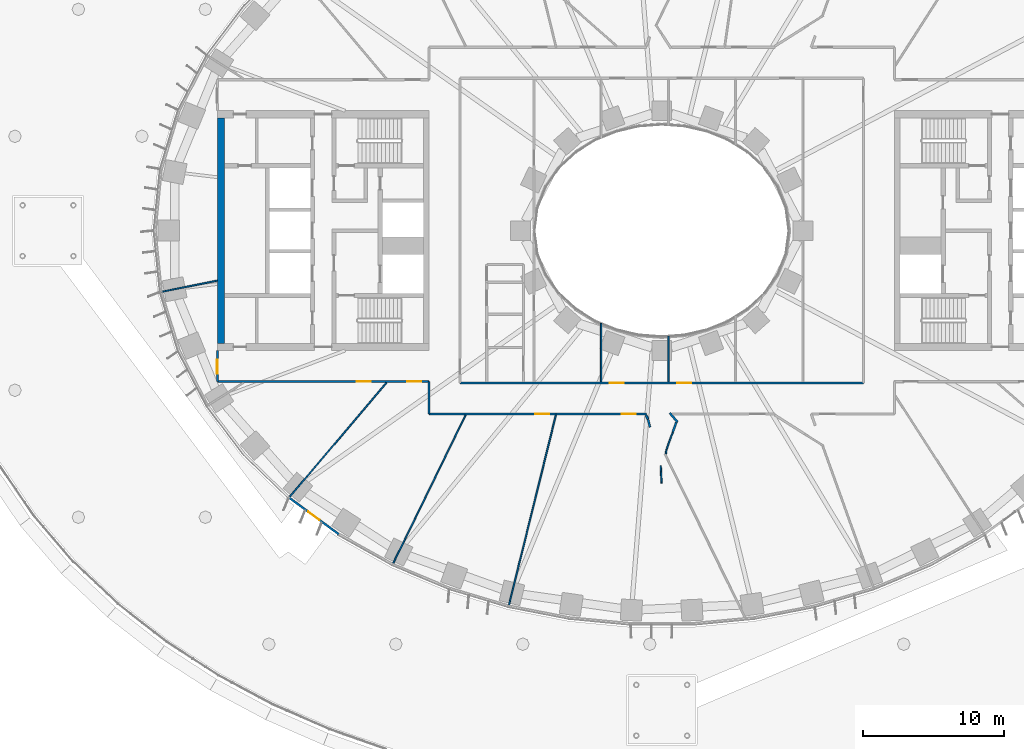
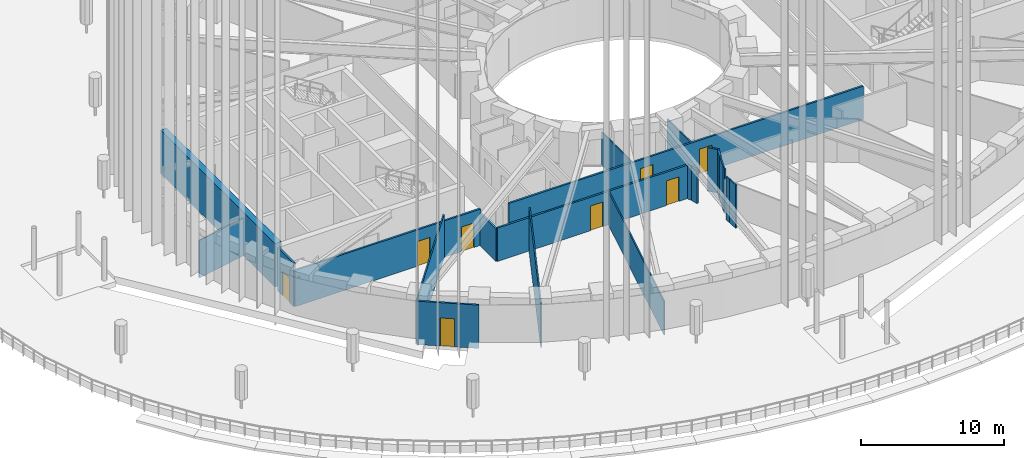
# One storey, part 11 of 30: 22 walls, 8 doors, 8 openings.
"""IFC4 building model written with IfcOpenShell, lengths in metres."""

from ifc_helpers import new_model, si_unit, direction, frame, frame_2d, origin, place, context, subcontext, project, spatial, rectangle, extrude, material, layer, layer_set, type_object, element, fill, save


model = new_model("IFC4")

# Units and contexts
model_context = context("Model", 3, precision=1e-05, world=origin(), true_north=direction((0.0, 1.0)))
body_context = subcontext(model_context, "Body", "Model", "MODEL_VIEW")
ifc_project = project(units=[si_unit("LENGTHUNIT", "METRE"), si_unit("AREAUNIT", "SQUARE_METRE"), si_unit("VOLUMEUNIT", "CUBIC_METRE"), si_unit("PLANEANGLEUNIT", "RADIAN"), si_unit("MASSUNIT", "GRAM", prefix="KILO")], contexts=[model_context])

# Site, building, storey
site_placement = place(None, origin())
site = spatial("IfcSite", under=ifc_project, at=site_placement, CompositionType="ELEMENT")
building_placement = place(site_placement, origin())
building = spatial("IfcBuilding", under=site, at=building_placement, Name="Noorbagh Ring Tower", CompositionType="ELEMENT")
storey_placement = place(building_placement, frame((0.0, 0.0, 30.5)))
storey = spatial("IfcBuildingStorey", under=building, at=storey_placement, Name="L05", CompositionType="ELEMENT", Elevation=30.5)

# Wall
ifc_material_1 = material(Name="Concrete C70/85", Category="concrete")
ifc_layer_1 = layer(ifc_material_1, 0.5)
ifc_layer_set_1 = layer_set([ifc_layer_1], Name="Concrete C70/85")
wall_type_1 = type_object("IfcWallType", Name="CORE-WALL-500-C70-85-EI240", PredefinedType="SHEAR", material=ifc_layer_set_1)
wall_1_placement = place(storey_placement, frame((-31.25, -8.0, 0.0), z_axis=(0.0, 0.0, 1.0), x_axis=(0.0, 1.0, 0.0)))
element("IfcWall", 1, at=wall_1_placement, inside=storey, type_object=wall_type_1, Name="Core wall W", PredefinedType="SHEAR", context=body_context, shape_type="SweptSolid", body=[
    extrude(rectangle(XDim=16.0, YDim=0.5, at=frame_2d((8.0, 0.0))), origin(), (0.0, 0.0, 1.0), 3.699951171875),
])

# Wall, opening, door
ifc_material_2 = material(Name="Gypsum board on steel studs", Category="steel")
ifc_layer_2 = layer(ifc_material_2, 0.14990234375)
ifc_layer_set_2 = layer_set([ifc_layer_2], Name="Gypsum board on steel studs")
wall_type_2 = type_object("IfcWallType", Name="CORRIDOR PARTITION 150 EI 30", PredefinedType="PARTITIONING", material=ifc_layer_set_2)
wall_2_placement = place(storey_placement, frame((-31.5, -10.699951171875, 0.0), z_axis=(0.0, 0.0, 1.0), x_axis=(0.0, 1.0, 0.0)))
wall_2 = element("IfcWall", 2, at=wall_2_placement, inside=storey, type_object=wall_type_2, Name="L05/wall/P04", PredefinedType="PARTITIONING", context=body_context, shape_type="SweptSolid", body=[
    extrude(rectangle(XDim=2.199951171875, YDim=0.14990234375, at=frame_2d((1.10009765625, 0.0))), origin(), (0.0, 0.0, 1.0), 3.699951171875),
])
opening_1_placement = place(wall_2_placement, frame((0.550048828125, 0.0, 0.0)))
opening_1 = element("IfcOpeningElement", 3, at=opening_1_placement, cuts=wall_2, Name="Opening D1", PredefinedType="OPENING", context=body_context, shape_type="SweptSolid", body=[
    extrude(rectangle(XDim=1.0, YDim=2.10009765625, at=frame_2d((0.5, 1.050048828125))), frame((0.0, 0.0849609375, 0.0), z_axis=(0.0, -1.0, 0.0), x_axis=(1.0, 0.0, 0.0)), (0.0, 0.0, 1.0), 0.169921875),
])
ifc_material_3 = material(Name="Timber, painted", Category="wood")
door_type_1 = type_object("IfcDoorType", Name="DOOR 1000 X 2100 FD30", OperationType="SINGLE_SWING_LEFT", PredefinedType="DOOR", material=ifc_material_3)
door_1_placement = place(opening_1_placement, origin())
door_1 = element("IfcDoor", 4, at=door_1_placement, inside=storey, type_object=door_type_1, Name="L05-D06", OperationType="SINGLE_SWING_RIGHT", OverallHeight=2.10009765625, OverallWidth=1.0, PredefinedType="DOOR", context=body_context, shape_type="SweptSolid", body=[
    extrude(rectangle(XDim=1.0, YDim=2.10009765625, at=frame_2d((0.5, 1.050048828125))), frame((0.0, 0.02490234375, 0.0), z_axis=(0.0, -1.0, 0.0), x_axis=(1.0, 0.0, 0.0)), (0.0, 0.0, 1.0), 0.050048828125),
])
fill(opening_1, door_1)

# Wall, openings, doors
wall_3_placement = place(storey_placement, frame((-31.5, -10.699951171875, 0.0), z_axis=(0.0, 0.0, 1.0), x_axis=(1.0, 0.0, 0.0)))
wall_3 = element("IfcWall", 5, at=wall_3_placement, inside=storey, type_object=wall_type_2, Name="L05/wall/P05", PredefinedType="PARTITIONING", context=body_context, shape_type="SweptSolid", body=[
    extrude(rectangle(XDim=15.0, YDim=0.14990234375, at=frame_2d((7.5, 0.0))), origin(), (0.0, 0.0, 1.0), 3.10009765625),
])
opening_2_placement = place(wall_3_placement, frame((9.87890625, 0.0, 0.0)))
opening_2 = element("IfcOpeningElement", 6, at=opening_2_placement, cuts=wall_3, Name="Opening D1", PredefinedType="OPENING", context=body_context, shape_type="SweptSolid", body=[
    extrude(rectangle(XDim=1.0, YDim=2.10009765625, at=frame_2d((0.5, 1.050048828125))), frame((0.0, 0.0849609375, 0.0), z_axis=(0.0, -1.0, 0.0), x_axis=(1.0, 0.0, 0.0)), (0.0, 0.0, 1.0), 0.169921875),
])
opening_3_placement = place(wall_3_placement, frame((13.448974609375, 0.0, 0.0)))
opening_3 = element("IfcOpeningElement", 7, at=opening_3_placement, cuts=wall_3, Name="Opening D1", PredefinedType="OPENING", context=body_context, shape_type="SweptSolid", body=[
    extrude(rectangle(XDim=1.0, YDim=2.10009765625, at=frame_2d((0.5, 1.050048828125))), frame((0.0, 0.0849609375, 0.0), z_axis=(0.0, -1.0, 0.0), x_axis=(1.0, 0.0, 0.0)), (0.0, 0.0, 1.0), 0.169921875),
])
door_2_placement = place(opening_2_placement, origin())
door_2 = element("IfcDoor", 8, at=door_2_placement, inside=storey, type_object=door_type_1, Name="L05-D08", OperationType="SINGLE_SWING_RIGHT", OverallHeight=2.10009765625, OverallWidth=1.0, PredefinedType="DOOR", context=body_context, shape_type="SweptSolid", body=[
    extrude(rectangle(XDim=1.0, YDim=2.10009765625, at=frame_2d((0.5, 1.050048828125))), frame((0.0, 0.02490234375, 0.0), z_axis=(0.0, -1.0, 0.0), x_axis=(1.0, 0.0, 0.0)), (0.0, 0.0, 1.0), 0.050048828125),
])
fill(opening_2, door_2)
door_3_placement = place(opening_3_placement, origin())
door_3 = element("IfcDoor", 9, at=door_3_placement, inside=storey, type_object=door_type_1, Name="L05-D10", OperationType="SINGLE_SWING_RIGHT", OverallHeight=2.10009765625, OverallWidth=1.0, PredefinedType="DOOR", context=body_context, shape_type="SweptSolid", body=[
    extrude(rectangle(XDim=1.0, YDim=2.10009765625, at=frame_2d((0.5, 1.050048828125))), frame((0.0, 0.02490234375, 0.0), z_axis=(0.0, -1.0, 0.0), x_axis=(1.0, 0.0, 0.0)), (0.0, 0.0, 1.0), 0.050048828125),
])
fill(opening_3, door_3)

# Wall
wall_4_placement = place(storey_placement, frame((-16.5, -13.0, 0.0), z_axis=(0.0, 0.0, 1.0), x_axis=(0.0, 1.0, 0.0)))
element("IfcWall", 10, at=wall_4_placement, inside=storey, type_object=wall_type_2, Name="L05/wall/P12", PredefinedType="PARTITIONING", context=body_context, shape_type="SweptSolid", body=[
    extrude(rectangle(XDim=2.300048828125, YDim=0.14990234375, at=frame_2d((1.14990234375, 0.0))), origin(), (0.0, 0.0, 1.0), 2.75),
])

# Wall, opening, door
wall_5_placement = place(storey_placement, frame((-16.5, -13.0, 0.0), z_axis=(0.0, 0.0, 1.0), x_axis=(1.0, 0.0, 0.0)))
wall_5 = element("IfcWall", 11, at=wall_5_placement, inside=storey, type_object=wall_type_2, Name="L05/wall/P13", PredefinedType="PARTITIONING", context=body_context, shape_type="SweptSolid", body=[
    extrude(rectangle(XDim=9.0009765625, YDim=0.14990234375, at=frame_2d((4.50048828125, 0.0))), origin(), (0.0, 0.0, 1.0), 2.85009765625),
])
opening_4_placement = place(wall_5_placement, frame((7.529052734375, 0.0, 0.0)))
opening_4 = element("IfcOpeningElement", 12, at=opening_4_placement, cuts=wall_5, Name="Opening D1", PredefinedType="OPENING", context=body_context, shape_type="SweptSolid", body=[
    extrude(rectangle(XDim=1.0, YDim=2.10009765625, at=frame_2d((0.5, 1.050048828125))), frame((0.0, 0.0849609375, 0.0), z_axis=(0.0, -1.0, 0.0), x_axis=(1.0, 0.0, 0.0)), (0.0, 0.0, 1.0), 0.169921875),
])
door_4_placement = place(opening_4_placement, origin())
door_4 = element("IfcDoor", 13, at=door_4_placement, inside=storey, type_object=door_type_1, Name="L05-D12", OperationType="SINGLE_SWING_RIGHT", OverallHeight=2.10009765625, OverallWidth=1.0, PredefinedType="DOOR", context=body_context, shape_type="SweptSolid", body=[
    extrude(rectangle(XDim=1.0, YDim=2.10009765625, at=frame_2d((0.5, 1.050048828125))), frame((0.0, 0.02490234375, 0.0), z_axis=(0.0, -1.0, 0.0), x_axis=(1.0, 0.0, 0.0)), (0.0, 0.0, 1.0), 0.050048828125),
])
fill(opening_4, door_4)

# Wall, openings, doors
wall_6_placement = place(storey_placement, frame((-14.300048828125, -10.800048828125, 0.0), z_axis=(0.0, 0.0, 1.0), x_axis=(1.0, 0.0, 0.0)))
wall_6 = element("IfcWall", 14, at=wall_6_placement, inside=storey, type_object=wall_type_2, Name="L05/wall/P17", PredefinedType="PARTITIONING", context=body_context, shape_type="SweptSolid", body=[
    extrude(rectangle(XDim=28.60009765625, YDim=0.14990234375, at=frame_2d((14.300048828125, 0.0))), origin(), (0.0, 0.0, 1.0), 2.85009765625),
])
opening_5_placement = place(wall_6_placement, frame((10.626953125, 0.0, 0.0)))
opening_5 = element("IfcOpeningElement", 15, at=opening_5_placement, cuts=wall_6, Name="Opening D1", PredefinedType="OPENING", context=body_context, shape_type="SweptSolid", body=[
    extrude(rectangle(XDim=1.0, YDim=2.10009765625, at=frame_2d((0.5, 1.050048828125))), frame((0.0, 0.0849609375, 0.0), z_axis=(0.0, -1.0, 0.0), x_axis=(1.0, 0.0, 0.0)), (0.0, 0.0, 1.0), 0.169921875),
])
opening_6_placement = place(wall_6_placement, frame((15.39306640625, 0.0, 0.0)))
opening_6 = element("IfcOpeningElement", 16, at=opening_6_placement, cuts=wall_6, Name="Opening D1", PredefinedType="OPENING", context=body_context, shape_type="SweptSolid", body=[
    extrude(rectangle(XDim=1.0, YDim=2.10009765625, at=frame_2d((0.5, 1.050048828125))), frame((0.0, 0.0849609375, 0.0), z_axis=(0.0, -1.0, 0.0), x_axis=(1.0, 0.0, 0.0)), (0.0, 0.0, 1.0), 0.169921875),
])
door_5_placement = place(opening_5_placement, origin())
door_5 = element("IfcDoor", 17, at=door_5_placement, inside=storey, type_object=door_type_1, Name="L05-D26", OperationType="SINGLE_SWING_RIGHT", OverallHeight=2.10009765625, OverallWidth=1.0, PredefinedType="DOOR", context=body_context, shape_type="SweptSolid", body=[
    extrude(rectangle(XDim=1.0, YDim=2.10009765625, at=frame_2d((0.5, 1.050048828125))), frame((0.0, 0.02490234375, 0.0), z_axis=(0.0, -1.0, 0.0), x_axis=(1.0, 0.0, 0.0)), (0.0, 0.0, 1.0), 0.050048828125),
])
fill(opening_5, door_5)
door_6_placement = place(opening_6_placement, origin())
door_6 = element("IfcDoor", 18, at=door_6_placement, inside=storey, type_object=door_type_1, Name="L05-D28", OperationType="SINGLE_SWING_RIGHT", OverallHeight=2.10009765625, OverallWidth=1.0, PredefinedType="DOOR", context=body_context, shape_type="SweptSolid", body=[
    extrude(rectangle(XDim=1.0, YDim=2.10009765625, at=frame_2d((0.5, 1.050048828125))), frame((0.0, 0.02490234375, 0.0), z_axis=(0.0, -1.0, 0.0), x_axis=(1.0, 0.0, 0.0)), (0.0, 0.0, 1.0), 0.050048828125),
])
fill(opening_6, door_6)

# Wall, opening, door
wall_7_placement = place(storey_placement, frame((-7.48291015625, -13.0, 0.0), z_axis=(0.0, 0.0, 1.0), x_axis=(1.0, 0.0, 0.0)))
wall_7 = element("IfcWall", 19, at=wall_7_placement, inside=storey, type_object=wall_type_2, Name="L05/wall/P32", PredefinedType="PARTITIONING", context=body_context, shape_type="SweptSolid", body=[
    extrude(rectangle(XDim=6.421875, YDim=0.14990234375, at=frame_2d((3.2109375, 0.0))), origin(), (0.0, 0.0, 1.0), 2.85009765625),
])
opening_7_placement = place(wall_7_placement, frame((4.634033203125, 0.0, 0.0)))
opening_7 = element("IfcOpeningElement", 20, at=opening_7_placement, cuts=wall_7, Name="Opening D1", PredefinedType="OPENING", context=body_context, shape_type="SweptSolid", body=[
    extrude(rectangle(XDim=1.0, YDim=2.10009765625, at=frame_2d((0.5, 1.050048828125))), frame((0.0, 0.0849609375, 0.0), z_axis=(0.0, -1.0, 0.0), x_axis=(1.0, 0.0, 0.0)), (0.0, 0.0, 1.0), 0.169921875),
])
door_7_placement = place(opening_7_placement, origin())
door_7 = element("IfcDoor", 21, at=door_7_placement, inside=storey, type_object=door_type_1, Name="L05-D14", OperationType="SINGLE_SWING_RIGHT", OverallHeight=2.10009765625, OverallWidth=1.0, PredefinedType="DOOR", context=body_context, shape_type="SweptSolid", body=[
    extrude(rectangle(XDim=1.0, YDim=2.10009765625, at=frame_2d((0.5, 1.050048828125))), frame((0.0, 0.02490234375, 0.0), z_axis=(0.0, -1.0, 0.0), x_axis=(1.0, 0.0, 0.0)), (0.0, 0.0, 1.0), 0.050048828125),
])
fill(opening_7, door_7)

# Walls
wall_8_placement = place(storey_placement, frame((-1.111083984375, -13.0791015625, 0.0), z_axis=(0.0, 0.0, 1.0), x_axis=(0.440240923942, -0.897879685084, 0.0)))
element("IfcWall", 22, at=wall_8_placement, inside=storey, type_object=wall_type_2, Name="L05/wall/P36", PredefinedType="PARTITIONING", context=body_context, shape_type="SweptSolid", body=[
    extrude(rectangle(XDim=0.32275390625, YDim=0.14990234375, at=frame_2d((0.161376953125, 0.0))), origin(), (0.0, 0.0, 1.0), 2.85009765625),
])
wall_9_placement = place(storey_placement, frame((-0.965087890625, -13.385986328125, 0.0), z_axis=(0.0, 0.0, 1.0), x_axis=(0.239578315167, -0.970877042113, 0.0)))
element("IfcWall", 23, at=wall_9_placement, inside=storey, type_object=wall_type_2, Name="L05/wall/P38", PredefinedType="PARTITIONING", context=body_context, shape_type="SweptSolid", body=[
    extrude(rectangle(XDim=0.5634765625, YDim=0.14990234375, at=frame_2d((0.28173828125, 0.0))), origin(), (0.0, 0.0, 1.0), 2.85009765625),
])
wall_10_placement = place(storey_placement, frame((0.572021484375, -12.925048828125, 0.0), z_axis=(0.0, 0.0, 1.0), x_axis=(0.648868148451, -0.760900864717, 0.0)))
element("IfcWall", 24, at=wall_10_placement, inside=storey, type_object=wall_type_2, Name="L05/wall/P52", PredefinedType="PARTITIONING", context=body_context, shape_type="SweptSolid", body=[
    extrude(rectangle(XDim=0.84765625, YDim=0.14990234375, at=frame_2d((0.423828125, 0.0))), origin(), (0.0, 0.0, 1.0), 3.699951171875),
])
wall_11_placement = place(storey_placement, frame((0.783935546875, -14.284912109375, 0.0), z_axis=(0.0, 0.0, 1.0), x_axis=(0.337939421495, 0.941167863561, 0.0)))
element("IfcWall", 25, at=wall_11_placement, inside=storey, type_object=wall_type_2, Name="L05/wall/P54", PredefinedType="PARTITIONING", context=body_context, shape_type="SweptSolid", body=[
    extrude(rectangle(XDim=0.74267578125, YDim=0.14990234375, at=frame_2d((0.371337890625, 0.0))), origin(), (0.0, 0.0, 1.0), 3.699951171875),
])

# Wall, opening, door
ifc_material_4 = material(Name="Insulated aluminium clad panel", Category="aluminium")
ifc_layer_3 = layer(ifc_material_4, 0.14990234375)
ifc_layer_set_3 = layer_set([ifc_layer_3], Name="Insulated aluminium clad panel")
wall_type_3 = type_object("IfcWallType", Name="ENV-WALL-DOOR", PredefinedType="STANDARD", material=ifc_layer_set_3)
wall_12_placement = place(storey_placement, frame((-26.434814453125, -18.9111328125, 0.0), z_axis=(0.0, 0.0, 1.0), x_axis=(0.805154287598, -0.593065403782, 0.0)))
wall_12 = element("IfcWall", 26, at=wall_12_placement, inside=storey, type_object=wall_type_3, Name="Terrace door wall chord 29", PredefinedType="STANDARD", context=body_context, shape_type="SweptSolid", body=[
    extrude(rectangle(XDim=4.4248046875, YDim=0.14990234375, at=frame_2d((2.21240234375, 0.0))), origin(), (0.0, 0.0, 1.0), 3.699951171875),
])
opening_8_placement = place(wall_12_placement, frame((1.71240234375, 0.0, 0.0)))
opening_8 = element("IfcOpeningElement", 27, at=opening_8_placement, cuts=wall_12, Name="Opening D-BL", PredefinedType="OPENING", context=body_context, shape_type="SweptSolid", body=[
    extrude(rectangle(XDim=1.0, YDim=2.39990234375, at=frame_2d((0.5, 1.199951171875))), frame((0.0, 0.0849609375, 0.0), z_axis=(0.0, -1.0, 0.0), x_axis=(1.0, 0.0, 0.0)), (0.0, 0.0, 1.0), 0.169921875),
])
ifc_material_5 = material(Name="Aluminium and glass", Category="aluminium")
door_type_2 = type_object("IfcDoorType", Name="ENV-DOOR-BALCONY", OperationType="SINGLE_SWING_LEFT", PredefinedType="DOOR", material=ifc_material_5)
door_8_placement = place(opening_8_placement, origin())
door_8 = element("IfcDoor", 28, at=door_8_placement, inside=storey, type_object=door_type_2, Name="Terrace door chord 29", OperationType="SINGLE_SWING_RIGHT", OverallHeight=2.39990234375, OverallWidth=1.0, PredefinedType="DOOR", context=body_context, shape_type="SweptSolid", body=[
    extrude(rectangle(XDim=1.0, YDim=2.39990234375, at=frame_2d((0.5, 1.199951171875))), frame((0.0, 0.02490234375, 0.0), z_axis=(0.0, -1.0, 0.0), x_axis=(1.0, 0.0, 0.0)), (0.0, 0.0, 1.0), 0.050048828125),
])
fill(opening_8, door_8)

# Walls
ifc_material_6 = material(Name="Gypsum board on steel studs", Category="steel")
ifc_layer_4 = layer(ifc_material_6, 0.10009765625)
ifc_layer_set_4 = layer_set([ifc_layer_4], Name="Gypsum board on steel studs")
wall_type_4 = type_object("IfcWallType", Name="PARTITION 100 GYPSUM", PredefinedType="PARTITIONING", material=ifc_layer_set_4)
wall_13_placement = place(storey_placement, frame((-35.511962890625, -4.34912109375, 0.0), z_axis=(0.0, 0.0, 1.0), x_axis=(0.980357474535, 0.197228857227, 0.0)))
element("IfcWall", 29, at=wall_13_placement, inside=storey, type_object=wall_type_4, Name="L05/wall/P01", PredefinedType="PARTITIONING", context=body_context, shape_type="SweptSolid", body=[
    extrude(rectangle(XDim=4.09228515625, YDim=0.10009765625, at=frame_2d((2.046142578125, 0.0))), origin(), (0.0, 0.0, 1.0), 3.199951171875),
])
wall_14_placement = place(storey_placement, frame((-26.429931640625, -18.945068359375, 0.0), z_axis=(0.0, 0.0, 1.0), x_axis=(0.646400187952, 0.762998556365, 0.0)))
element("IfcWall", 30, at=wall_14_placement, inside=storey, type_object=wall_type_4, Name="L05/wall/P08", PredefinedType="PARTITIONING", context=body_context, shape_type="SweptSolid", body=[
    extrude(rectangle(XDim=10.703857421875, YDim=0.10009765625, at=frame_2d((5.35205078125, 0.0))), origin(), (0.0, 0.0, 1.0), 3.699951171875),
])
wall_15_placement = place(storey_placement, frame((-19.0859375, -23.68505859375, 0.0), z_axis=(0.0, 0.0, 1.0), x_axis=(0.439199750603, 0.898389436197, 0.0)))
element("IfcWall", 31, at=wall_15_placement, inside=storey, type_object=wall_type_4, Name="L05/wall/P10", PredefinedType="PARTITIONING", context=body_context, shape_type="SweptSolid", body=[
    extrude(rectangle(XDim=11.81005859375, YDim=0.10009765625, at=frame_2d((5.905029296875, 0.0))), origin(), (0.0, 0.0, 1.0), 3.699951171875),
])
wall_16_placement = place(storey_placement, frame((-10.85302734375, -26.64599609375, 0.0), z_axis=(0.0, 0.0, 1.0), x_axis=(0.239763745499, 0.97083126564, 0.0)))
element("IfcWall", 32, at=wall_16_placement, inside=storey, type_object=wall_type_4, Name="L05/wall/P25", PredefinedType="PARTITIONING", context=body_context, shape_type="SweptSolid", body=[
    extrude(rectangle(XDim=14.055908203125, YDim=0.10009765625, at=frame_2d((7.02783203125, 0.0))), origin(), (0.0, 0.0, 1.0), 2.85009765625),
])
wall_17_placement = place(storey_placement, frame((-4.2900390625, -10.72509765625, 0.0), z_axis=(0.0, 0.0, 1.0), x_axis=(0.0, 1.0, 0.0)))
element("IfcWall", 33, at=wall_17_placement, inside=storey, type_object=wall_type_4, Name="L05/wall/P34", PredefinedType="PARTITIONING", context=body_context, shape_type="SweptSolid", body=[
    extrude(rectangle(XDim=4.156982421875, YDim=0.10009765625, at=frame_2d((2.07861328125, 0.0))), origin(), (0.0, 0.0, 1.0), 2.85009765625),
])
wall_18_placement = place(storey_placement, frame((-0.069091796875, -16.657958984375, 0.0), z_axis=(0.0, 0.0, 1.0), x_axis=(0.047263912187, -0.998882436829, 0.0)))
element("IfcWall", 34, at=wall_18_placement, inside=storey, type_object=wall_type_4, Name="L05/wall/P42", PredefinedType="PARTITIONING", context=body_context, shape_type="SweptSolid", body=[
    extrude(rectangle(XDim=0.423583984375, YDim=0.10009765625, at=frame_2d((0.2119140625, 0.0))), origin(), (0.0, 0.0, 1.0), 3.699951171875),
])
wall_19_placement = place(storey_placement, frame((-0.048095703125, -17.10791015625, 0.0), z_axis=(0.0, 0.0, 1.0), x_axis=(0.046977779105, -0.998895934655, 0.0)))
element("IfcWall", 35, at=wall_19_placement, inside=storey, type_object=wall_type_4, Name="L05/wall/P44", PredefinedType="PARTITIONING", context=body_context, shape_type="SweptSolid", body=[
    extrude(rectangle(XDim=0.7900390625, YDim=0.10009765625, at=frame_2d((0.39501953125, 0.0))), origin(), (0.0, 0.0, 1.0), 3.699951171875),
])
wall_20_placement = place(storey_placement, frame((0.291015625, -15.83203125, 0.0), z_axis=(0.0, 0.0, 1.0), x_axis=(0.141883286424, 0.989883393655, 0.0)))
element("IfcWall", 36, at=wall_20_placement, inside=storey, type_object=wall_type_4, Name="L05/wall/P47", PredefinedType="PARTITIONING", context=body_context, shape_type="SweptSolid", body=[
    extrude(rectangle(XDim=0.2958984375, YDim=0.10009765625, at=frame_2d((0.14794921875, 0.0))), origin(), (0.0, 0.0, 1.0), 3.699951171875),
])
wall_21_placement = place(storey_placement, frame((0.340087890625, -15.52099609375, 0.0), z_axis=(0.0, 0.0, 1.0), x_axis=(0.338162451205, 0.941087751804, 0.0)))
element("IfcWall", 37, at=wall_21_placement, inside=storey, type_object=wall_type_4, Name="L05/wall/P48", PredefinedType="PARTITIONING", context=body_context, shape_type="SweptSolid", body=[
    extrude(rectangle(XDim=1.303955078125, YDim=0.10009765625, at=frame_2d((0.65185546875, 0.0))), origin(), (0.0, 0.0, 1.0), 3.699951171875),
])
wall_22_placement = place(storey_placement, frame((0.47705078125, -10.72509765625, 0.0), z_axis=(0.0, 0.0, 1.0), x_axis=(0.0, 1.0, 0.0)))
element("IfcWall", 38, at=wall_22_placement, inside=storey, type_object=wall_type_4, Name="L05/wall/P49", PredefinedType="PARTITIONING", context=body_context, shape_type="SweptSolid", body=[
    extrude(rectangle(XDim=3.257080078125, YDim=0.10009765625, at=frame_2d((1.62841796875, 0.0))), origin(), (0.0, 0.0, 1.0), 2.85009765625),
])

save(model, "model.ifc")
